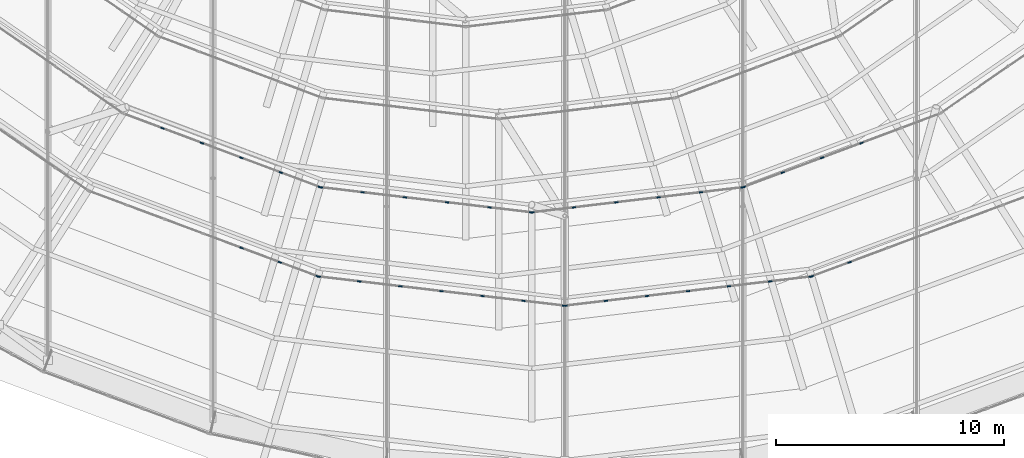
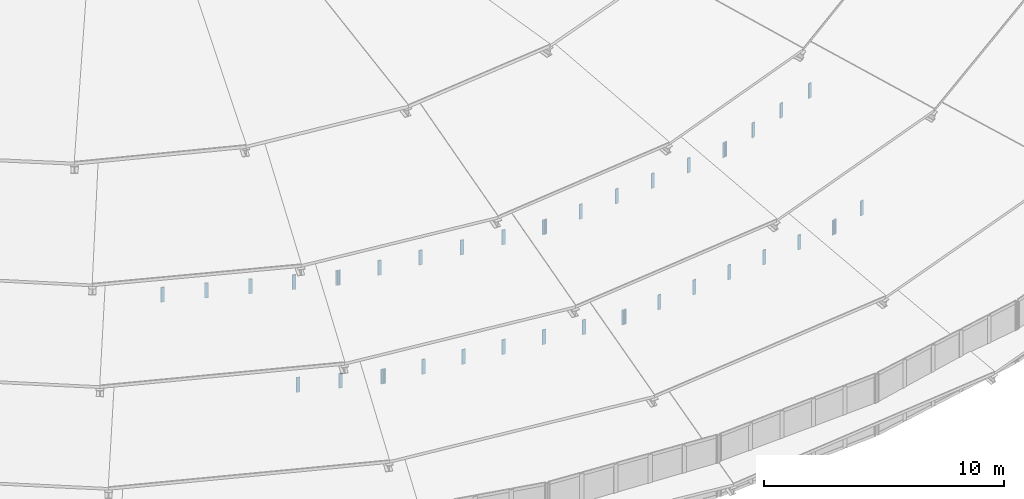
# One storey, part 126 of 173: 40 members, 8 elements without a shape of their own.
"""IFC4 building model written with IfcOpenShell, lengths in metres."""

from ifc_helpers import new_model, si_unit, direction, frame, origin, origin_2d, place, context, subcontext, project, spatial, rectangle, extrude, material, material_profile, profile_set, type_object, element, aggregate, save


model = new_model("IFC4")

# Units and contexts
model_context = context("Model", 3, precision=1e-05, world=origin(), true_north=direction((0.0, 1.0)))
body_context = subcontext(model_context, "Body", "Model", "MODEL_VIEW")
ifc_project = project(units=[si_unit("LENGTHUNIT", "METRE"), si_unit("AREAUNIT", "SQUARE_METRE"), si_unit("VOLUMEUNIT", "CUBIC_METRE"), si_unit("PLANEANGLEUNIT", "RADIAN"), si_unit("MASSUNIT", "GRAM", prefix="KILO")], contexts=[model_context])

# Site, building, storey
site_placement = place(None, origin())
site = spatial("IfcSite", under=ifc_project, at=site_placement, CompositionType="ELEMENT")
building_placement = place(site_placement, origin())
building = spatial("IfcBuilding", under=site, at=building_placement, Name="Glasvene Arena", CompositionType="ELEMENT")
storey_placement = place(building_placement, frame((0.0, 0.0, 28.800048828125)))
storey = spatial("IfcBuildingStorey", under=building, at=storey_placement, Name="RF", CompositionType="ELEMENT", Elevation=28.800048828125)

# Curtain wall, members
ifc_material_1 = material(Name="Low-emissivity laminated double glazing", Category="glass")
curtain_wall_type_1 = type_object("IfcCurtainWallType", Name="CW-PET1-1077x75", PredefinedType="USERDEFINED", material=ifc_material_1)
curtain_wall_1_placement = place(storey_placement, frame((71.074951171875, 40.350830078125, 0.0)))
curtain_wall_1 = element("IfcCurtainWall", 1, at=curtain_wall_1_placement, inside=storey, type_object=curtain_wall_type_1, Name="Petal ring 1-2 clerestory curtain wall 17", ObjectType="CURTAIN WALL", PredefinedType="USERDEFINED")
ifc_material_2 = material(Name="Anodised architectural aluminium", Category="aluminium")
ifc_material_profile = material_profile(ifc_material_2, rectangle(XDim=0.050048828125, YDim=0.159912109375, at=origin_2d()), Name="ALU MULLION 50x160")
ifc_profile_set = profile_set([ifc_material_profile], Name="Anodised architectural aluminium")
member_type = type_object("IfcMemberType", Name="CW-MUL-150", PredefinedType="MULLION", material=ifc_profile_set)
member_1_placement = place(storey_placement, frame((77.803955078125, 37.840087890625, 2.579833984375), z_axis=(0.0, 0.0, 1.0), x_axis=(0.349591006176, 0.936902411354, 0.0)))
member_1 = element("IfcMember", 2, at=member_1_placement, type_object=member_type, Name="CW-085 mullion 5", PredefinedType="MULLION", context=body_context, shape_type="SweptSolid", body=[
    extrude(rectangle(XDim=0.050048828125, YDim=0.159912109375, at=origin_2d()), origin(), (0.0, 0.0, 1.0), 0.75),
])
member_2_placement = place(storey_placement, frame((79.486083984375, 37.21240234375, 2.579833984375), z_axis=(0.0, 0.0, 1.0), x_axis=(0.349591006176, 0.936902411354, 0.0)))
member_2 = element("IfcMember", 3, at=member_2_placement, type_object=member_type, Name="CW-085 mullion 6", PredefinedType="MULLION", context=body_context, shape_type="SweptSolid", body=[
    extrude(rectangle(XDim=0.050048828125, YDim=0.159912109375, at=origin_2d()), origin(), (0.0, 0.0, 1.0), 0.75),
])
member_3_placement = place(storey_placement, frame((81.14501953125, 36.59326171875, 2.579833984375), z_axis=(0.0, 0.0, 1.0), x_axis=(0.349591006176, 0.936902411354, 0.0)))
member_3 = element("IfcMember", 4, at=member_3_placement, type_object=member_type, Name="CW-085 mullion 7", PredefinedType="MULLION", context=body_context, shape_type="SweptSolid", body=[
    extrude(rectangle(XDim=0.050048828125, YDim=0.159912109375, at=origin_2d()), origin(), (0.0, 0.0, 1.0), 0.75),
])
aggregate(curtain_wall_1, [member_1, member_2, member_3])

curtain_wall_type_2 = type_object("IfcCurtainWallType", Name="CW-PET1-1091x75", PredefinedType="USERDEFINED", material=ifc_material_1)
curtain_wall_2_placement = place(storey_placement, frame((81.16845703125, 36.584716796875, 0.0)))
curtain_wall_2 = element("IfcCurtainWall", 5, at=curtain_wall_2_placement, inside=storey, type_object=curtain_wall_type_2, Name="Petal ring 1-2 clerestory curtain wall 18", ObjectType="CURTAIN WALL", PredefinedType="USERDEFINED")
member_4_placement = place(storey_placement, frame((81.193115234375, 36.58154296875, 2.579833984375), z_axis=(0.0, 0.0, 1.0), x_axis=(0.117772076378, 0.993040652756, 0.0)))
member_4 = element("IfcMember", 6, at=member_4_placement, type_object=member_type, Name="CW-086 mullion 1", PredefinedType="MULLION", context=body_context, shape_type="SweptSolid", body=[
    extrude(rectangle(XDim=0.050048828125, YDim=0.159912109375, at=origin_2d()), origin(), (0.0, 0.0, 1.0), 0.75),
])
member_5_placement = place(storey_placement, frame((82.9736328125, 36.37060546875, 2.579833984375), z_axis=(0.0, 0.0, 1.0), x_axis=(0.117772076378, 0.993040652756, 0.0)))
member_5 = element("IfcMember", 7, at=member_5_placement, type_object=member_type, Name="CW-086 mullion 2", PredefinedType="MULLION", context=body_context, shape_type="SweptSolid", body=[
    extrude(rectangle(XDim=0.050048828125, YDim=0.159912109375, at=origin_2d()), origin(), (0.0, 0.0, 1.0), 0.75),
])
member_6_placement = place(storey_placement, frame((84.779052734375, 36.156494140625, 2.579833984375), z_axis=(0.0, 0.0, 1.0), x_axis=(0.117772076378, 0.993040652756, 0.0)))
member_6 = element("IfcMember", 8, at=member_6_placement, type_object=member_type, Name="CW-086 mullion 3", PredefinedType="MULLION", context=body_context, shape_type="SweptSolid", body=[
    extrude(rectangle(XDim=0.050048828125, YDim=0.159912109375, at=origin_2d()), origin(), (0.0, 0.0, 1.0), 0.75),
])
member_7_placement = place(storey_placement, frame((86.584228515625, 35.9423828125, 2.579833984375), z_axis=(0.0, 0.0, 1.0), x_axis=(0.117772076378, 0.993040652756, 0.0)))
member_7 = element("IfcMember", 9, at=member_7_placement, type_object=member_type, Name="CW-086 mullion 4", PredefinedType="MULLION", context=body_context, shape_type="SweptSolid", body=[
    extrude(rectangle(XDim=0.050048828125, YDim=0.159912109375, at=origin_2d()), origin(), (0.0, 0.0, 1.0), 0.75),
])
member_8_placement = place(storey_placement, frame((88.389404296875, 35.728271484375, 2.579833984375), z_axis=(0.0, 0.0, 1.0), x_axis=(0.117772076378, 0.993040652756, 0.0)))
member_8 = element("IfcMember", 10, at=member_8_placement, type_object=member_type, Name="CW-086 mullion 5", PredefinedType="MULLION", context=body_context, shape_type="SweptSolid", body=[
    extrude(rectangle(XDim=0.050048828125, YDim=0.159912109375, at=origin_2d()), origin(), (0.0, 0.0, 1.0), 0.75),
])
member_9_placement = place(storey_placement, frame((90.19482421875, 35.51416015625, 2.579833984375), z_axis=(0.0, 0.0, 1.0), x_axis=(0.117772076378, 0.993040652756, 0.0)))
member_9 = element("IfcMember", 11, at=member_9_placement, type_object=member_type, Name="CW-086 mullion 6", PredefinedType="MULLION", context=body_context, shape_type="SweptSolid", body=[
    extrude(rectangle(XDim=0.050048828125, YDim=0.159912109375, at=origin_2d()), origin(), (0.0, 0.0, 1.0), 0.75),
])
member_10_placement = place(storey_placement, frame((91.97509765625, 35.302978515625, 2.579833984375), z_axis=(0.0, 0.0, 1.0), x_axis=(0.117772076378, 0.993040652756, 0.0)))
member_10 = element("IfcMember", 12, at=member_10_placement, type_object=member_type, Name="CW-086 mullion 7", PredefinedType="MULLION", context=body_context, shape_type="SweptSolid", body=[
    extrude(rectangle(XDim=0.050048828125, YDim=0.159912109375, at=origin_2d()), origin(), (0.0, 0.0, 1.0), 0.75),
])
aggregate(curtain_wall_2, [member_4, member_5, member_6, member_7, member_8, member_9, member_10])

curtain_wall_3_placement = place(storey_placement, frame((92.0, 35.300048828125, 0.0)))
curtain_wall_3 = element("IfcCurtainWall", 13, at=curtain_wall_3_placement, inside=storey, type_object=curtain_wall_type_2, Name="Petal ring 1-2 clerestory curtain wall 19", ObjectType="CURTAIN WALL", PredefinedType="USERDEFINED")
member_11_placement = place(storey_placement, frame((92.02490234375, 35.302978515625, 2.579833984375), z_axis=(0.0, 0.0, 1.0), x_axis=(-0.117772076378, 0.993040652756, 0.0)))
member_11 = element("IfcMember", 14, at=member_11_placement, type_object=member_type, Name="CW-086 mullion 1", PredefinedType="MULLION", context=body_context, shape_type="SweptSolid", body=[
    extrude(rectangle(XDim=0.050048828125, YDim=0.159912109375, at=origin_2d()), origin(), (0.0, 0.0, 1.0), 0.75),
])
member_12_placement = place(storey_placement, frame((93.80517578125, 35.51416015625, 2.579833984375), z_axis=(0.0, 0.0, 1.0), x_axis=(-0.117772076378, 0.993040652756, 0.0)))
member_12 = element("IfcMember", 15, at=member_12_placement, type_object=member_type, Name="CW-086 mullion 2", PredefinedType="MULLION", context=body_context, shape_type="SweptSolid", body=[
    extrude(rectangle(XDim=0.050048828125, YDim=0.159912109375, at=origin_2d()), origin(), (0.0, 0.0, 1.0), 0.75),
])
member_13_placement = place(storey_placement, frame((95.610595703125, 35.728271484375, 2.579833984375), z_axis=(0.0, 0.0, 1.0), x_axis=(-0.117772076378, 0.993040652756, 0.0)))
member_13 = element("IfcMember", 16, at=member_13_placement, type_object=member_type, Name="CW-086 mullion 3", PredefinedType="MULLION", context=body_context, shape_type="SweptSolid", body=[
    extrude(rectangle(XDim=0.050048828125, YDim=0.159912109375, at=origin_2d()), origin(), (0.0, 0.0, 1.0), 0.75),
])
member_14_placement = place(storey_placement, frame((97.415771484375, 35.9423828125, 2.579833984375), z_axis=(0.0, 0.0, 1.0), x_axis=(-0.117772076378, 0.993040652756, 0.0)))
member_14 = element("IfcMember", 17, at=member_14_placement, type_object=member_type, Name="CW-086 mullion 4", PredefinedType="MULLION", context=body_context, shape_type="SweptSolid", body=[
    extrude(rectangle(XDim=0.050048828125, YDim=0.159912109375, at=origin_2d()), origin(), (0.0, 0.0, 1.0), 0.75),
])
member_15_placement = place(storey_placement, frame((99.220947265625, 36.156494140625, 2.579833984375), z_axis=(0.0, 0.0, 1.0), x_axis=(-0.117772076378, 0.993040652756, 0.0)))
member_15 = element("IfcMember", 18, at=member_15_placement, type_object=member_type, Name="CW-086 mullion 5", PredefinedType="MULLION", context=body_context, shape_type="SweptSolid", body=[
    extrude(rectangle(XDim=0.050048828125, YDim=0.159912109375, at=origin_2d()), origin(), (0.0, 0.0, 1.0), 0.75),
])
member_16_placement = place(storey_placement, frame((101.0263671875, 36.37060546875, 2.579833984375), z_axis=(0.0, 0.0, 1.0), x_axis=(-0.117772076378, 0.993040652756, 0.0)))
member_16 = element("IfcMember", 19, at=member_16_placement, type_object=member_type, Name="CW-086 mullion 6", PredefinedType="MULLION", context=body_context, shape_type="SweptSolid", body=[
    extrude(rectangle(XDim=0.050048828125, YDim=0.159912109375, at=origin_2d()), origin(), (0.0, 0.0, 1.0), 0.75),
])
member_17_placement = place(storey_placement, frame((102.806884765625, 36.58154296875, 2.579833984375), z_axis=(0.0, 0.0, 1.0), x_axis=(-0.117772076378, 0.993040652756, 0.0)))
member_17 = element("IfcMember", 20, at=member_17_placement, type_object=member_type, Name="CW-086 mullion 7", PredefinedType="MULLION", context=body_context, shape_type="SweptSolid", body=[
    extrude(rectangle(XDim=0.050048828125, YDim=0.159912109375, at=origin_2d()), origin(), (0.0, 0.0, 1.0), 0.75),
])
aggregate(curtain_wall_3, [member_11, member_12, member_13, member_14, member_15, member_16, member_17])

curtain_wall_4_placement = place(storey_placement, frame((102.83154296875, 36.584716796875, 0.0)))
curtain_wall_4 = element("IfcCurtainWall", 21, at=curtain_wall_4_placement, inside=storey, type_object=curtain_wall_type_1, Name="Petal ring 1-2 clerestory curtain wall 20", ObjectType="CURTAIN WALL", PredefinedType="USERDEFINED")
member_18_placement = place(storey_placement, frame((102.85498046875, 36.59326171875, 2.579833984375), z_axis=(0.0, 0.0, 1.0), x_axis=(-0.349591006176, 0.936902411354, 0.0)))
member_18 = element("IfcMember", 22, at=member_18_placement, type_object=member_type, Name="CW-085 mullion 1", PredefinedType="MULLION", context=body_context, shape_type="SweptSolid", body=[
    extrude(rectangle(XDim=0.050048828125, YDim=0.159912109375, at=origin_2d()), origin(), (0.0, 0.0, 1.0), 0.75),
])
member_19_placement = place(storey_placement, frame((104.513916015625, 37.21240234375, 2.579833984375), z_axis=(0.0, 0.0, 1.0), x_axis=(-0.349591006176, 0.936902411354, 0.0)))
member_19 = element("IfcMember", 23, at=member_19_placement, type_object=member_type, Name="CW-085 mullion 2", PredefinedType="MULLION", context=body_context, shape_type="SweptSolid", body=[
    extrude(rectangle(XDim=0.050048828125, YDim=0.159912109375, at=origin_2d()), origin(), (0.0, 0.0, 1.0), 0.75),
])
aggregate(curtain_wall_4, [member_18, member_19])

curtain_wall_type_3 = type_object("IfcCurtainWallType", Name="CW-PET2-925x75", PredefinedType="USERDEFINED", material=ifc_material_1)
curtain_wall_5_placement = place(storey_placement, frame((72.60009765625, 43.74755859375, 0.0)))
curtain_wall_5 = element("IfcCurtainWall", 24, at=curtain_wall_5_placement, inside=storey, type_object=curtain_wall_type_3, Name="Petal ring 2-3 clerestory curtain wall 17", ObjectType="CURTAIN WALL", PredefinedType="USERDEFINED")
member_20_placement = place(storey_placement, frame((74.331787109375, 43.09912109375, 5.179931640625), z_axis=(0.0, 0.0, 1.0), x_axis=(0.350639776971, 0.936510409342, 0.0)))
member_20 = element("IfcMember", 25, at=member_20_placement, type_object=member_type, Name="CW-091 mullion 2", PredefinedType="MULLION", context=body_context, shape_type="SweptSolid", body=[
    extrude(rectangle(XDim=0.050048828125, YDim=0.159912109375, at=origin_2d()), origin(), (0.0, 0.0, 1.0), 0.75),
])
member_21_placement = place(storey_placement, frame((76.0634765625, 42.45068359375, 5.179931640625), z_axis=(0.0, 0.0, 1.0), x_axis=(0.350639776971, 0.936510409342, 0.0)))
member_21 = element("IfcMember", 26, at=member_21_placement, type_object=member_type, Name="CW-091 mullion 3", PredefinedType="MULLION", context=body_context, shape_type="SweptSolid", body=[
    extrude(rectangle(XDim=0.050048828125, YDim=0.159912109375, at=origin_2d()), origin(), (0.0, 0.0, 1.0), 0.75),
])
member_22_placement = place(storey_placement, frame((77.794921875, 41.802490234375, 5.179931640625), z_axis=(0.0, 0.0, 1.0), x_axis=(0.350639776971, 0.936510409342, 0.0)))
member_22 = element("IfcMember", 27, at=member_22_placement, type_object=member_type, Name="CW-091 mullion 4", PredefinedType="MULLION", context=body_context, shape_type="SweptSolid", body=[
    extrude(rectangle(XDim=0.050048828125, YDim=0.159912109375, at=origin_2d()), origin(), (0.0, 0.0, 1.0), 0.75),
])
member_23_placement = place(storey_placement, frame((79.526611328125, 41.154052734375, 5.179931640625), z_axis=(0.0, 0.0, 1.0), x_axis=(0.350639776971, 0.936510409342, 0.0)))
member_23 = element("IfcMember", 28, at=member_23_placement, type_object=member_type, Name="CW-091 mullion 5", PredefinedType="MULLION", context=body_context, shape_type="SweptSolid", body=[
    extrude(rectangle(XDim=0.050048828125, YDim=0.159912109375, at=origin_2d()), origin(), (0.0, 0.0, 1.0), 0.75),
])
member_24_placement = place(storey_placement, frame((81.235107421875, 40.514404296875, 5.179931640625), z_axis=(0.0, 0.0, 1.0), x_axis=(0.350639776971, 0.936510409342, 0.0)))
member_24 = element("IfcMember", 29, at=member_24_placement, type_object=member_type, Name="CW-091 mullion 6", PredefinedType="MULLION", context=body_context, shape_type="SweptSolid", body=[
    extrude(rectangle(XDim=0.050048828125, YDim=0.159912109375, at=origin_2d()), origin(), (0.0, 0.0, 1.0), 0.75),
])
aggregate(curtain_wall_5, [member_20, member_21, member_22, member_23, member_24])

curtain_wall_type_4 = type_object("IfcCurtainWallType", Name="CW-PET2-936x75", PredefinedType="USERDEFINED", material=ifc_material_1)
curtain_wall_6_placement = place(storey_placement, frame((81.25830078125, 40.505615234375, 0.0)))
curtain_wall_6 = element("IfcCurtainWall", 30, at=curtain_wall_6_placement, inside=storey, type_object=curtain_wall_type_4, Name="Petal ring 2-3 clerestory curtain wall 18", ObjectType="CURTAIN WALL", PredefinedType="USERDEFINED")
member_25_placement = place(storey_placement, frame((81.283203125, 40.502685546875, 5.179931640625), z_axis=(0.0, 0.0, 1.0), x_axis=(0.118166222866, 0.992993828668, 0.0)))
member_25 = element("IfcMember", 31, at=member_25_placement, type_object=member_type, Name="CW-092 mullion 1", PredefinedType="MULLION", context=body_context, shape_type="SweptSolid", body=[
    extrude(rectangle(XDim=0.050048828125, YDim=0.159912109375, at=origin_2d()), origin(), (0.0, 0.0, 1.0), 0.75),
])
member_26_placement = place(storey_placement, frame((83.11669921875, 40.28466796875, 5.179931640625), z_axis=(0.0, 0.0, 1.0), x_axis=(0.118166222866, 0.992993828668, 0.0)))
member_26 = element("IfcMember", 32, at=member_26_placement, type_object=member_type, Name="CW-092 mullion 2", PredefinedType="MULLION", context=body_context, shape_type="SweptSolid", body=[
    extrude(rectangle(XDim=0.050048828125, YDim=0.159912109375, at=origin_2d()), origin(), (0.0, 0.0, 1.0), 0.75),
])
member_27_placement = place(storey_placement, frame((84.97509765625, 40.0634765625, 5.179931640625), z_axis=(0.0, 0.0, 1.0), x_axis=(0.118166222866, 0.992993828668, 0.0)))
member_27 = element("IfcMember", 33, at=member_27_placement, type_object=member_type, Name="CW-092 mullion 3", PredefinedType="MULLION", context=body_context, shape_type="SweptSolid", body=[
    extrude(rectangle(XDim=0.050048828125, YDim=0.159912109375, at=origin_2d()), origin(), (0.0, 0.0, 1.0), 0.75),
])
member_28_placement = place(storey_placement, frame((86.833251953125, 39.84228515625, 5.179931640625), z_axis=(0.0, 0.0, 1.0), x_axis=(0.118166222866, 0.992993828668, 0.0)))
member_28 = element("IfcMember", 34, at=member_28_placement, type_object=member_type, Name="CW-092 mullion 4", PredefinedType="MULLION", context=body_context, shape_type="SweptSolid", body=[
    extrude(rectangle(XDim=0.050048828125, YDim=0.159912109375, at=origin_2d()), origin(), (0.0, 0.0, 1.0), 0.75),
])
member_29_placement = place(storey_placement, frame((88.691650390625, 39.62109375, 5.179931640625), z_axis=(0.0, 0.0, 1.0), x_axis=(0.118166222866, 0.992993828668, 0.0)))
member_29 = element("IfcMember", 35, at=member_29_placement, type_object=member_type, Name="CW-092 mullion 5", PredefinedType="MULLION", context=body_context, shape_type="SweptSolid", body=[
    extrude(rectangle(XDim=0.050048828125, YDim=0.159912109375, at=origin_2d()), origin(), (0.0, 0.0, 1.0), 0.75),
])
member_30_placement = place(storey_placement, frame((90.525146484375, 39.403076171875, 5.179931640625), z_axis=(0.0, 0.0, 1.0), x_axis=(0.118166222866, 0.992993828668, 0.0)))
member_30 = element("IfcMember", 36, at=member_30_placement, type_object=member_type, Name="CW-092 mullion 6", PredefinedType="MULLION", context=body_context, shape_type="SweptSolid", body=[
    extrude(rectangle(XDim=0.050048828125, YDim=0.159912109375, at=origin_2d()), origin(), (0.0, 0.0, 1.0), 0.75),
])
aggregate(curtain_wall_6, [member_25, member_26, member_27, member_28, member_29, member_30])

curtain_wall_7_placement = place(storey_placement, frame((90.550048828125, 39.39990234375, 0.0)))
curtain_wall_7 = element("IfcCurtainWall", 37, at=curtain_wall_7_placement, inside=storey, type_object=curtain_wall_type_4, Name="Petal ring 2-3 clerestory curtain wall 19", ObjectType="CURTAIN WALL", PredefinedType="USERDEFINED")
member_31_placement = place(storey_placement, frame((90.57470703125, 39.403076171875, 5.179931640625), z_axis=(0.0, 0.0, 1.0), x_axis=(-0.118166222866, 0.992993828668, 0.0)))
member_31 = element("IfcMember", 38, at=member_31_placement, type_object=member_type, Name="CW-092 mullion 1", PredefinedType="MULLION", context=body_context, shape_type="SweptSolid", body=[
    extrude(rectangle(XDim=0.050048828125, YDim=0.159912109375, at=origin_2d()), origin(), (0.0, 0.0, 1.0), 0.75),
])
member_32_placement = place(storey_placement, frame((92.408203125, 39.62109375, 5.179931640625), z_axis=(0.0, 0.0, 1.0), x_axis=(-0.118166222866, 0.992993828668, 0.0)))
member_32 = element("IfcMember", 39, at=member_32_placement, type_object=member_type, Name="CW-092 mullion 2", PredefinedType="MULLION", context=body_context, shape_type="SweptSolid", body=[
    extrude(rectangle(XDim=0.050048828125, YDim=0.159912109375, at=origin_2d()), origin(), (0.0, 0.0, 1.0), 0.75),
])
member_33_placement = place(storey_placement, frame((94.2666015625, 39.84228515625, 5.179931640625), z_axis=(0.0, 0.0, 1.0), x_axis=(-0.118166222866, 0.992993828668, 0.0)))
member_33 = element("IfcMember", 40, at=member_33_placement, type_object=member_type, Name="CW-092 mullion 3", PredefinedType="MULLION", context=body_context, shape_type="SweptSolid", body=[
    extrude(rectangle(XDim=0.050048828125, YDim=0.159912109375, at=origin_2d()), origin(), (0.0, 0.0, 1.0), 0.75),
])
member_34_placement = place(storey_placement, frame((96.125, 40.0634765625, 5.179931640625), z_axis=(0.0, 0.0, 1.0), x_axis=(-0.118166222866, 0.992993828668, 0.0)))
member_34 = element("IfcMember", 41, at=member_34_placement, type_object=member_type, Name="CW-092 mullion 4", PredefinedType="MULLION", context=body_context, shape_type="SweptSolid", body=[
    extrude(rectangle(XDim=0.050048828125, YDim=0.159912109375, at=origin_2d()), origin(), (0.0, 0.0, 1.0), 0.75),
])
member_35_placement = place(storey_placement, frame((97.9833984375, 40.28466796875, 5.179931640625), z_axis=(0.0, 0.0, 1.0), x_axis=(-0.118166222866, 0.992993828668, 0.0)))
member_35 = element("IfcMember", 42, at=member_35_placement, type_object=member_type, Name="CW-092 mullion 5", PredefinedType="MULLION", context=body_context, shape_type="SweptSolid", body=[
    extrude(rectangle(XDim=0.050048828125, YDim=0.159912109375, at=origin_2d()), origin(), (0.0, 0.0, 1.0), 0.75),
])
member_36_placement = place(storey_placement, frame((99.81689453125, 40.502685546875, 5.179931640625), z_axis=(0.0, 0.0, 1.0), x_axis=(-0.118166222866, 0.992993828668, 0.0)))
member_36 = element("IfcMember", 43, at=member_36_placement, type_object=member_type, Name="CW-092 mullion 6", PredefinedType="MULLION", context=body_context, shape_type="SweptSolid", body=[
    extrude(rectangle(XDim=0.050048828125, YDim=0.159912109375, at=origin_2d()), origin(), (0.0, 0.0, 1.0), 0.75),
])
aggregate(curtain_wall_7, [member_31, member_32, member_33, member_34, member_35, member_36])

curtain_wall_8_placement = place(storey_placement, frame((99.841552734375, 40.505615234375, 0.0)))
curtain_wall_8 = element("IfcCurtainWall", 44, at=curtain_wall_8_placement, inside=storey, type_object=curtain_wall_type_3, Name="Petal ring 2-3 clerestory curtain wall 20", ObjectType="CURTAIN WALL", PredefinedType="USERDEFINED")
member_37_placement = place(storey_placement, frame((99.864990234375, 40.514404296875, 5.179931640625), z_axis=(0.0, 0.0, 1.0), x_axis=(-0.350639776971, 0.936510409342, 0.0)))
member_37 = element("IfcMember", 45, at=member_37_placement, type_object=member_type, Name="CW-091 mullion 1", PredefinedType="MULLION", context=body_context, shape_type="SweptSolid", body=[
    extrude(rectangle(XDim=0.050048828125, YDim=0.159912109375, at=origin_2d()), origin(), (0.0, 0.0, 1.0), 0.75),
])
member_38_placement = place(storey_placement, frame((101.5732421875, 41.154052734375, 5.179931640625), z_axis=(0.0, 0.0, 1.0), x_axis=(-0.350639776971, 0.936510409342, 0.0)))
member_38 = element("IfcMember", 46, at=member_38_placement, type_object=member_type, Name="CW-091 mullion 2", PredefinedType="MULLION", context=body_context, shape_type="SweptSolid", body=[
    extrude(rectangle(XDim=0.050048828125, YDim=0.159912109375, at=origin_2d()), origin(), (0.0, 0.0, 1.0), 0.75),
])
member_39_placement = place(storey_placement, frame((103.304931640625, 41.802490234375, 5.179931640625), z_axis=(0.0, 0.0, 1.0), x_axis=(-0.350639776971, 0.936510409342, 0.0)))
member_39 = element("IfcMember", 47, at=member_39_placement, type_object=member_type, Name="CW-091 mullion 3", PredefinedType="MULLION", context=body_context, shape_type="SweptSolid", body=[
    extrude(rectangle(XDim=0.050048828125, YDim=0.159912109375, at=origin_2d()), origin(), (0.0, 0.0, 1.0), 0.75),
])
member_40_placement = place(storey_placement, frame((105.03662109375, 42.45068359375, 5.179931640625), z_axis=(0.0, 0.0, 1.0), x_axis=(-0.350639776971, 0.936510409342, 0.0)))
member_40 = element("IfcMember", 48, at=member_40_placement, type_object=member_type, Name="CW-091 mullion 4", PredefinedType="MULLION", context=body_context, shape_type="SweptSolid", body=[
    extrude(rectangle(XDim=0.050048828125, YDim=0.159912109375, at=origin_2d()), origin(), (0.0, 0.0, 1.0), 0.75),
])
aggregate(curtain_wall_8, [member_37, member_38, member_39, member_40])

save(model, "model.ifc")
